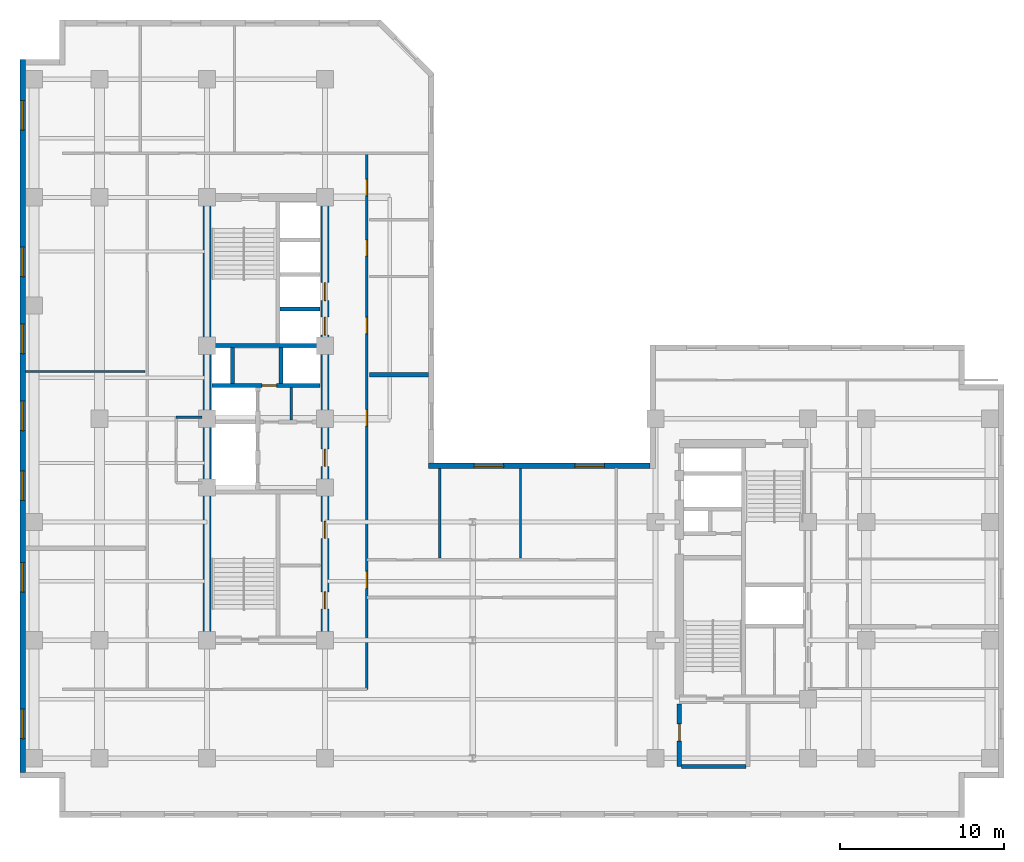
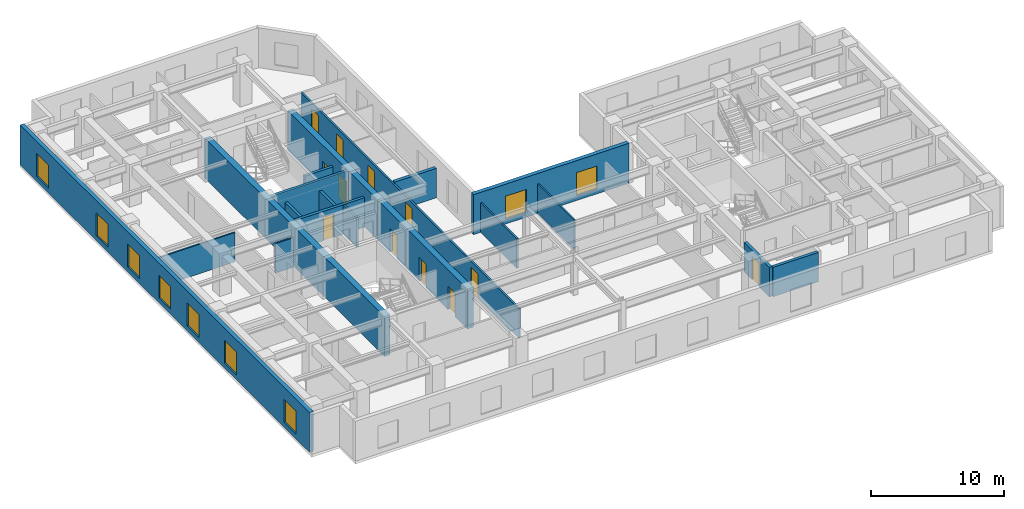
# One storey, part 4 of 10: 19 walls, 12 doors, 9 windows, 21 openings.
"""IFC4 building model written with IfcOpenShell, lengths in metres."""

from ifc_helpers import new_model, entity, si_unit, converted_unit, direction, frame, origin_with_axes, origin_2d_with_axis, place, context, subcontext, project, spatial, polyline, rectangle, outline, extrude, material, layer, layer_set, type_object, element, fill, save


model = new_model("IFC4")

# Units and contexts
model_context = context("Model", 3, precision=1e-05, world=origin_with_axes(), true_north=direction((0.0, 1.0)))
body_context = subcontext(model_context, "Body", "Model", "MODEL_VIEW")
ifc_project = project(units=[si_unit("LENGTHUNIT", "METRE"), si_unit("AREAUNIT", "SQUARE_METRE"), si_unit("VOLUMEUNIT", "CUBIC_METRE"), converted_unit("PLANEANGLEUNIT", "DEGREE", entity("IfcPlaneAngleMeasure", 0.017453292519943295), si_unit("PLANEANGLEUNIT", "RADIAN"), dimensions=[0, 0, 0, 0, 0, 0, 0]), si_unit("MASSUNIT", "GRAM", prefix="KILO"), si_unit("THERMODYNAMICTEMPERATUREUNIT", "KELVIN")], contexts=[model_context])

# Site, building, storey
site_placement = place(None, origin_with_axes())
site = spatial("IfcSite", under=ifc_project, at=site_placement, CompositionType="ELEMENT")
building_placement = place(site_placement, origin_with_axes())
building = spatial("IfcBuilding", under=site, at=building_placement, Name="Varnlund Millrace Tower", CompositionType="ELEMENT")
storey_placement = place(building_placement, frame((0.0, 0.0, 175.8), z_axis=(0.0, 0.0, 1.0), x_axis=(1.0, 0.0, 0.0)))
storey = spatial("IfcBuildingStorey", under=building, at=storey_placement, Name="L43", CompositionType="ELEMENT", Elevation=175.8)

# Wall
ifc_material_1 = material(Name="Concrete C70/85", Category="concrete")
ifc_layer_1 = layer(ifc_material_1, 0.5, Name="Concrete C70/85")
ifc_layer_set_1 = layer_set([ifc_layer_1], Name="Concrete C70/85")
wall_type_1 = type_object("IfcWallType", Name="Type-CoreWall-Shear-500-C70", PredefinedType="SHEAR", material=ifc_layer_set_1)
wall_1_placement = place(storey_placement, frame((11.4, 10.8, 0.0), z_axis=(0.0, 0.0, 1.0), x_axis=(0.0, 1.0, 0.0)))
element("IfcWall", 1, at=wall_1_placement, inside=storey, type_object=wall_type_1, Name="Type-CoreWall-Shear-500-C70", PredefinedType="SHEAR", context=body_context, shape_type="SweptSolid", body=[
    extrude(outline(polyline([(0.0, -0.25), (27.0, -0.25), (27.0, 0.25), (0.0, 0.25), (0.0, -0.25)])), origin_with_axes(), (0.0, 0.0, 1.0), 3.66),
])

# Wall, openings, doors
wall_2_placement = place(storey_placement, frame((18.6, 10.8, 0.0), z_axis=(0.0, 0.0, 1.0), x_axis=(0.0, 1.0, 0.0)))
wall_2 = element("IfcWall", 2, at=wall_2_placement, inside=storey, type_object=wall_type_1, Name="Type-CoreWall-Shear-500-C70", PredefinedType="SHEAR", context=body_context, shape_type="SweptSolid", body=[
    extrude(outline(polyline([(0.0, -0.25), (13.5, -0.25), (13.5, 0.25), (0.0, 0.25), (0.0, -0.25)])), origin_with_axes(), (0.0, 0.0, 1.0), 3.66),
])
opening_1_placement = place(wall_2_placement, frame((11.125, 0.0, 0.0), z_axis=(0.0, 0.0, 1.0), x_axis=(1.0, 0.0, 0.0)))
opening_1 = element("IfcOpeningElement", 3, at=opening_1_placement, cuts=wall_2, Name="Opening L43:DR-FFLOB-A", PredefinedType="OPENING", context=body_context, shape_type="SweptSolid", body=[
    extrude(rectangle(XDim=1.05, YDim=0.52, at=origin_2d_with_axis()), origin_with_axes(), (0.0, 0.0, 1.0), 2.15),
])
opening_2_placement = place(wall_2_placement, frame((2.425, 0.0, 0.0), z_axis=(0.0, 0.0, 1.0), x_axis=(1.0, 0.0, 0.0)))
opening_2 = element("IfcOpeningElement", 4, at=opening_2_placement, cuts=wall_2, Name="Opening L43:DR-RECL-A1-1", PredefinedType="OPENING", context=body_context, shape_type="SweptSolid", body=[
    extrude(rectangle(XDim=1.05, YDim=0.52, at=origin_2d_with_axis()), origin_with_axes(), (0.0, 0.0, 1.0), 2.15),
])
opening_3_placement = place(wall_2_placement, frame((6.725, 0.0, 0.0), z_axis=(0.0, 0.0, 1.0), x_axis=(1.0, 0.0, 0.0)))
opening_3 = element("IfcOpeningElement", 5, at=opening_3_placement, cuts=wall_2, Name="Opening L43:DR-RECL-A1-2", PredefinedType="OPENING", context=body_context, shape_type="SweptSolid", body=[
    extrude(rectangle(XDim=1.05, YDim=0.52, at=origin_2d_with_axis()), origin_with_axes(), (0.0, 0.0, 1.0), 2.15),
])
ifc_material_2 = material(Name="Smoke-barrier hollow steel fire door", Category="steel")
door_type_1 = type_object("IfcDoorType", Name="Type-FireDoor-Lobby-1050X2150", OperationType="NOTDEFINED", PredefinedType="DOOR", material=ifc_material_2)
door_1_placement = place(wall_2_placement, frame((11.125, 0.0, 0.0), z_axis=(0.0, 0.0, 1.0), x_axis=(1.0, 0.0, 0.0)))
door_1 = element("IfcDoor", 6, at=door_1_placement, inside=storey, type_object=door_type_1, Name="Type-FireDoor-Lobby-1050X2150", OperationType="SINGLE_SWING_LEFT", OverallHeight=2.15, OverallWidth=1.05, PredefinedType="DOOR", context=body_context, shape_type="SweptSolid", body=[
    extrude(rectangle(XDim=1.05, YDim=0.09, at=origin_2d_with_axis()), origin_with_axes(), (0.0, 0.0, 1.0), 2.15),
])
fill(opening_1, door_1)
door_2_placement = place(wall_2_placement, frame((2.425, 0.0, 0.0), z_axis=(0.0, 0.0, 1.0), x_axis=(1.0, 0.0, 0.0)))
door_2 = element("IfcDoor", 7, at=door_2_placement, inside=storey, type_object=door_type_1, Name="Type-FireDoor-Lobby-1050X2150", OperationType="SINGLE_SWING_LEFT", OverallHeight=2.15, OverallWidth=1.05, PredefinedType="DOOR", context=body_context, shape_type="SweptSolid", body=[
    extrude(rectangle(XDim=1.05, YDim=0.09, at=origin_2d_with_axis()), origin_with_axes(), (0.0, 0.0, 1.0), 2.15),
])
fill(opening_2, door_2)
door_3_placement = place(wall_2_placement, frame((6.725, 0.0, 0.0), z_axis=(0.0, 0.0, 1.0), x_axis=(1.0, 0.0, 0.0)))
door_3 = element("IfcDoor", 8, at=door_3_placement, inside=storey, type_object=door_type_1, Name="Type-FireDoor-Lobby-1050X2150", OperationType="SINGLE_SWING_RIGHT", OverallHeight=2.15, OverallWidth=1.05, PredefinedType="DOOR", context=body_context, shape_type="SweptSolid", body=[
    extrude(rectangle(XDim=1.05, YDim=0.09, at=origin_2d_with_axis()), origin_with_axes(), (0.0, 0.0, 1.0), 2.15),
])
fill(opening_3, door_3)

wall_3_placement = place(storey_placement, frame((18.6, 24.3, 0.0), z_axis=(0.0, 0.0, 1.0), x_axis=(0.0, 1.0, 0.0)))
wall_3 = element("IfcWall", 9, at=wall_3_placement, inside=storey, type_object=wall_type_1, Name="Type-CoreWall-Shear-500-C70", PredefinedType="SHEAR", context=body_context, shape_type="SweptSolid", body=[
    extrude(outline(polyline([(0.0, -0.25), (13.5, -0.25), (13.5, 0.25), (0.0, 0.25), (0.0, -0.25)])), origin_with_axes(), (0.0, 0.0, 1.0), 3.66),
])
opening_4_placement = place(wall_3_placement, frame((5.65, 0.0, 0.0), z_axis=(0.0, 0.0, 1.0), x_axis=(1.0, 0.0, 0.0)))
opening_4 = element("IfcOpeningElement", 10, at=opening_4_placement, cuts=wall_3, Name="Opening L43:LD-ELV-M1", PredefinedType="OPENING", context=body_context, shape_type="SweptSolid", body=[
    extrude(rectangle(XDim=1.1, YDim=0.52, at=origin_2d_with_axis()), origin_with_axes(), (0.0, 0.0, 1.0), 2.15),
])
opening_5_placement = place(wall_3_placement, frame((7.75, 0.0, 0.0), z_axis=(0.0, 0.0, 1.0), x_axis=(1.0, 0.0, 0.0)))
opening_5 = element("IfcOpeningElement", 11, at=opening_5_placement, cuts=wall_3, Name="Opening L43:LD-ELV-M2", PredefinedType="OPENING", context=body_context, shape_type="SweptSolid", body=[
    extrude(rectangle(XDim=1.1, YDim=0.52, at=origin_2d_with_axis()), origin_with_axes(), (0.0, 0.0, 1.0), 2.15),
])
ifc_material_3 = material(Name="Stainless and architectural bronze sliding landing door")
door_type_2 = type_object("IfcDoorType", Name="Type-LiftLandingDoor-1100X2150", OperationType="NOTDEFINED", PredefinedType="DOOR", material=ifc_material_3)
door_4_placement = place(wall_3_placement, frame((5.65, 0.0, 0.0), z_axis=(0.0, 0.0, 1.0), x_axis=(1.0, 0.0, 0.0)))
door_4 = element("IfcDoor", 12, at=door_4_placement, inside=storey, type_object=door_type_2, Name="Type-LiftLandingDoor-1100X2150", OperationType="SLIDING_TO_LEFT", OverallHeight=2.15, OverallWidth=1.1, PredefinedType="DOOR", context=body_context, shape_type="SweptSolid", body=[
    extrude(rectangle(XDim=1.1, YDim=0.09, at=origin_2d_with_axis()), origin_with_axes(), (0.0, 0.0, 1.0), 2.15),
])
fill(opening_4, door_4)
door_5_placement = place(wall_3_placement, frame((7.75, 0.0, 0.0), z_axis=(0.0, 0.0, 1.0), x_axis=(1.0, 0.0, 0.0)))
door_5 = element("IfcDoor", 13, at=door_5_placement, inside=storey, type_object=door_type_2, Name="Type-LiftLandingDoor-1100X2150", OperationType="SLIDING_TO_RIGHT", OverallHeight=2.15, OverallWidth=1.1, PredefinedType="DOOR", context=body_context, shape_type="SweptSolid", body=[
    extrude(rectangle(XDim=1.1, YDim=0.09, at=origin_2d_with_axis()), origin_with_axes(), (0.0, 0.0, 1.0), 2.15),
])
fill(opening_5, door_5)

# Wall, openings, windows
ifc_material_4 = material(Name="Precast concrete C50/60", Category="concrete")
ifc_layer_2 = layer(ifc_material_4, 0.34, Name="Precast concrete C50/60")
ifc_layer_set_2 = layer_set([ifc_layer_2], Name="Precast concrete C50/60")
wall_type_2 = type_object("IfcWallType", Name="Type-ExtWall-Precast-Upper-340", PredefinedType="SOLIDWALL", material=ifc_layer_set_2)
wall_4_placement = place(storey_placement, frame((0.17, 2.74, 0.0), z_axis=(0.0, 0.0, 1.0), x_axis=(0.0, 1.0, 0.0)))
wall_4 = element("IfcWall", 14, at=wall_4_placement, inside=storey, type_object=wall_type_2, Name="Type-ExtWall-Precast-Upper-340", PredefinedType="SOLIDWALL", context=body_context, shape_type="SweptSolid", body=[
    extrude(outline(polyline([(0.0, -0.17), (43.46, -0.17), (43.46, 0.17), (0.0, 0.17), (0.0, -0.17)])), origin_with_axes(), (0.0, 0.0, 1.0), 3.66),
])
opening_6_placement = place(wall_4_placement, frame((2.948, 0.0, 0.45), z_axis=(0.0, 0.0, 1.0), x_axis=(1.0, 0.0, 0.0)))
opening_6 = element("IfcOpeningElement", 15, at=opening_6_placement, cuts=wall_4, Name="Opening L43:WN-20", PredefinedType="OPENING", context=body_context, shape_type="SweptSolid", body=[
    extrude(rectangle(XDim=1.8, YDim=0.36, at=origin_2d_with_axis()), origin_with_axes(), (0.0, 0.0, 1.0), 2.1),
])
opening_7_placement = place(wall_4_placement, frame((11.889, 0.0, 0.45), z_axis=(0.0, 0.0, 1.0), x_axis=(1.0, 0.0, 0.0)))
opening_7 = element("IfcOpeningElement", 16, at=opening_7_placement, cuts=wall_4, Name="Opening L43:WN-21", PredefinedType="OPENING", context=body_context, shape_type="SweptSolid", body=[
    extrude(rectangle(XDim=1.8, YDim=0.36, at=origin_2d_with_axis()), origin_with_axes(), (0.0, 0.0, 1.0), 2.1),
])
opening_8_placement = place(wall_4_placement, frame((17.484, 0.0, 0.45), z_axis=(0.0, 0.0, 1.0), x_axis=(1.0, 0.0, 0.0)))
opening_8 = element("IfcOpeningElement", 17, at=opening_8_placement, cuts=wall_4, Name="Opening L43:WN-22", PredefinedType="OPENING", context=body_context, shape_type="SweptSolid", body=[
    extrude(rectangle(XDim=1.8, YDim=0.36, at=origin_2d_with_axis()), origin_with_axes(), (0.0, 0.0, 1.0), 2.1),
])
opening_9_placement = place(wall_4_placement, frame((21.73, 0.0, 0.45), z_axis=(0.0, 0.0, 1.0), x_axis=(1.0, 0.0, 0.0)))
opening_9 = element("IfcOpeningElement", 18, at=opening_9_placement, cuts=wall_4, Name="Opening L43:WN-23", PredefinedType="OPENING", context=body_context, shape_type="SweptSolid", body=[
    extrude(rectangle(XDim=1.8, YDim=0.36, at=origin_2d_with_axis()), origin_with_axes(), (0.0, 0.0, 1.0), 2.1),
])
opening_10_placement = place(wall_4_placement, frame((26.426, 0.0, 0.45), z_axis=(0.0, 0.0, 1.0), x_axis=(1.0, 0.0, 0.0)))
opening_10 = element("IfcOpeningElement", 19, at=opening_10_placement, cuts=wall_4, Name="Opening L43:WN-24", PredefinedType="OPENING", context=body_context, shape_type="SweptSolid", body=[
    extrude(rectangle(XDim=1.8, YDim=0.36, at=origin_2d_with_axis()), origin_with_axes(), (0.0, 0.0, 1.0), 2.1),
])
opening_11_placement = place(wall_4_placement, frame((31.121, 0.0, 0.45), z_axis=(0.0, 0.0, 1.0), x_axis=(1.0, 0.0, 0.0)))
opening_11 = element("IfcOpeningElement", 20, at=opening_11_placement, cuts=wall_4, Name="Opening L43:WN-25", PredefinedType="OPENING", context=body_context, shape_type="SweptSolid", body=[
    extrude(rectangle(XDim=1.8, YDim=0.36, at=origin_2d_with_axis()), origin_with_axes(), (0.0, 0.0, 1.0), 2.1),
])
opening_12_placement = place(wall_4_placement, frame((40.062, 0.0, 0.45), z_axis=(0.0, 0.0, 1.0), x_axis=(1.0, 0.0, 0.0)))
opening_12 = element("IfcOpeningElement", 21, at=opening_12_placement, cuts=wall_4, Name="Opening L43:WN-26", PredefinedType="OPENING", context=body_context, shape_type="SweptSolid", body=[
    extrude(rectangle(XDim=1.8, YDim=0.36, at=origin_2d_with_axis()), origin_with_axes(), (0.0, 0.0, 1.0), 2.1),
])
ifc_material_5 = material(Name="Argon low-e triple glazing in thermally broken bronze frame", Category="glass")
window_type = type_object("IfcWindowType", Name="Type-Window-Punched-1800X2100", PartitioningType="SINGLE_PANEL", PredefinedType="WINDOW", material=ifc_material_5)
window_1_placement = place(wall_4_placement, frame((2.948, 0.0, 0.45), z_axis=(0.0, 0.0, 1.0), x_axis=(1.0, 0.0, 0.0)))
window_1 = element("IfcWindow", 22, at=window_1_placement, inside=storey, type_object=window_type, Name="Type-Window-Punched-1800X2100", OverallHeight=2.1, OverallWidth=1.8, PredefinedType="WINDOW", context=body_context, shape_type="SweptSolid", body=[
    extrude(rectangle(XDim=1.8, YDim=0.09, at=origin_2d_with_axis()), origin_with_axes(), (0.0, 0.0, 1.0), 2.1),
])
fill(opening_6, window_1)
window_2_placement = place(wall_4_placement, frame((11.889, 0.0, 0.45), z_axis=(0.0, 0.0, 1.0), x_axis=(1.0, 0.0, 0.0)))
window_2 = element("IfcWindow", 23, at=window_2_placement, inside=storey, type_object=window_type, Name="Type-Window-Punched-1800X2100", OverallHeight=2.1, OverallWidth=1.8, PredefinedType="WINDOW", context=body_context, shape_type="SweptSolid", body=[
    extrude(rectangle(XDim=1.8, YDim=0.09, at=origin_2d_with_axis()), origin_with_axes(), (0.0, 0.0, 1.0), 2.1),
])
fill(opening_7, window_2)
window_3_placement = place(wall_4_placement, frame((17.484, 0.0, 0.45), z_axis=(0.0, 0.0, 1.0), x_axis=(1.0, 0.0, 0.0)))
window_3 = element("IfcWindow", 24, at=window_3_placement, inside=storey, type_object=window_type, Name="Type-Window-Punched-1800X2100", OverallHeight=2.1, OverallWidth=1.8, PredefinedType="WINDOW", context=body_context, shape_type="SweptSolid", body=[
    extrude(rectangle(XDim=1.8, YDim=0.09, at=origin_2d_with_axis()), origin_with_axes(), (0.0, 0.0, 1.0), 2.1),
])
fill(opening_8, window_3)
window_4_placement = place(wall_4_placement, frame((21.73, 0.0, 0.45), z_axis=(0.0, 0.0, 1.0), x_axis=(1.0, 0.0, 0.0)))
window_4 = element("IfcWindow", 25, at=window_4_placement, inside=storey, type_object=window_type, Name="Type-Window-Punched-1800X2100", OverallHeight=2.1, OverallWidth=1.8, PredefinedType="WINDOW", context=body_context, shape_type="SweptSolid", body=[
    extrude(rectangle(XDim=1.8, YDim=0.09, at=origin_2d_with_axis()), origin_with_axes(), (0.0, 0.0, 1.0), 2.1),
])
fill(opening_9, window_4)
window_5_placement = place(wall_4_placement, frame((26.426, 0.0, 0.45), z_axis=(0.0, 0.0, 1.0), x_axis=(1.0, 0.0, 0.0)))
window_5 = element("IfcWindow", 26, at=window_5_placement, inside=storey, type_object=window_type, Name="Type-Window-Punched-1800X2100", OverallHeight=2.1, OverallWidth=1.8, PredefinedType="WINDOW", context=body_context, shape_type="SweptSolid", body=[
    extrude(rectangle(XDim=1.8, YDim=0.09, at=origin_2d_with_axis()), origin_with_axes(), (0.0, 0.0, 1.0), 2.1),
])
fill(opening_10, window_5)
window_6_placement = place(wall_4_placement, frame((31.121, 0.0, 0.45), z_axis=(0.0, 0.0, 1.0), x_axis=(1.0, 0.0, 0.0)))
window_6 = element("IfcWindow", 27, at=window_6_placement, inside=storey, type_object=window_type, Name="Type-Window-Punched-1800X2100", OverallHeight=2.1, OverallWidth=1.8, PredefinedType="WINDOW", context=body_context, shape_type="SweptSolid", body=[
    extrude(rectangle(XDim=1.8, YDim=0.09, at=origin_2d_with_axis()), origin_with_axes(), (0.0, 0.0, 1.0), 2.1),
])
fill(opening_11, window_6)
window_7_placement = place(wall_4_placement, frame((40.062, 0.0, 0.45), z_axis=(0.0, 0.0, 1.0), x_axis=(1.0, 0.0, 0.0)))
window_7 = element("IfcWindow", 28, at=window_7_placement, inside=storey, type_object=window_type, Name="Type-Window-Punched-1800X2100", OverallHeight=2.1, OverallWidth=1.8, PredefinedType="WINDOW", context=body_context, shape_type="SweptSolid", body=[
    extrude(rectangle(XDim=1.8, YDim=0.09, at=origin_2d_with_axis()), origin_with_axes(), (0.0, 0.0, 1.0), 2.1),
])
fill(opening_12, window_7)

wall_5_placement = place(storey_placement, frame((24.913, 21.43, 0.0), z_axis=(0.0, 0.0, 1.0), x_axis=(1.0, 0.0, 0.0)))
wall_5 = element("IfcWall", 29, at=wall_5_placement, inside=storey, type_object=wall_type_2, Name="Type-ExtWall-Precast-Upper-340", PredefinedType="SOLIDWALL", context=body_context, shape_type="SweptSolid", body=[
    extrude(outline(polyline([(0.0, -0.17), (13.487, -0.17), (13.487, 0.17), (0.0, 0.17), (0.0, -0.17)])), origin_with_axes(), (0.0, 0.0, 1.0), 3.66),
])
opening_13_placement = place(wall_5_placement, frame((3.672, 0.0, 0.45), z_axis=(0.0, 0.0, 1.0), x_axis=(1.0, 0.0, 0.0)))
opening_13 = element("IfcOpeningElement", 30, at=opening_13_placement, cuts=wall_5, Name="Opening L43:WN-37", PredefinedType="OPENING", context=body_context, shape_type="SweptSolid", body=[
    extrude(rectangle(XDim=1.8, YDim=0.36, at=origin_2d_with_axis()), origin_with_axes(), (0.0, 0.0, 1.0), 2.1),
])
opening_14_placement = place(wall_5_placement, frame((9.815, 0.0, 0.45), z_axis=(0.0, 0.0, 1.0), x_axis=(1.0, 0.0, 0.0)))
opening_14 = element("IfcOpeningElement", 31, at=opening_14_placement, cuts=wall_5, Name="Opening L43:WN-38", PredefinedType="OPENING", context=body_context, shape_type="SweptSolid", body=[
    extrude(rectangle(XDim=1.8, YDim=0.36, at=origin_2d_with_axis()), origin_with_axes(), (0.0, 0.0, 1.0), 2.1),
])
window_8_placement = place(wall_5_placement, frame((3.672, 0.0, 0.45), z_axis=(0.0, 0.0, 1.0), x_axis=(1.0, 0.0, 0.0)))
window_8 = element("IfcWindow", 32, at=window_8_placement, inside=storey, type_object=window_type, Name="Type-Window-Punched-1800X2100", OverallHeight=2.1, OverallWidth=1.8, PredefinedType="WINDOW", context=body_context, shape_type="SweptSolid", body=[
    extrude(rectangle(XDim=1.8, YDim=0.09, at=origin_2d_with_axis()), origin_with_axes(), (0.0, 0.0, 1.0), 2.1),
])
fill(opening_13, window_8)
window_9_placement = place(wall_5_placement, frame((9.815, 0.0, 0.45), z_axis=(0.0, 0.0, 1.0), x_axis=(1.0, 0.0, 0.0)))
window_9 = element("IfcWindow", 33, at=window_9_placement, inside=storey, type_object=window_type, Name="Type-Window-Punched-1800X2100", OverallHeight=2.1, OverallWidth=1.8, PredefinedType="WINDOW", context=body_context, shape_type="SweptSolid", body=[
    extrude(rectangle(XDim=1.8, YDim=0.09, at=origin_2d_with_axis()), origin_with_axes(), (0.0, 0.0, 1.0), 2.1),
])
fill(opening_14, window_9)

# Walls
ifc_material_6 = material(Name="Double-stud STC-60 conference acoustic partition", Category="gypsum")
ifc_layer_3 = layer(ifc_material_6, 0.28, Name="Double-stud STC-60 conference acoustic partition")
ifc_layer_set_3 = layer_set([ifc_layer_3], Name="Double-stud STC-60 conference acoustic partition")
wall_type_3 = type_object("IfcWallType", Name="Type-Partition-Acoustic-280", PredefinedType="PARTITIONING", material=ifc_layer_set_3)
wall_6_placement = place(storey_placement, frame((21.3, 26.984, 0.0), z_axis=(0.0, 0.0, 1.0), x_axis=(1.0, 0.0, 0.0)))
element("IfcWall", 34, at=wall_6_placement, inside=storey, type_object=wall_type_3, Name="Type-Partition-Acoustic-280", PredefinedType="PARTITIONING", context=body_context, shape_type="SweptSolid", body=[
    extrude(outline(polyline([(0.0, -0.14), (3.618, -0.14), (3.618, 0.14), (0.0, 0.14), (0.0, -0.14)])), origin_with_axes(), (0.0, 0.0, 1.0), 2.7),
])
ifc_material_7 = material(Name="Fire-rated gypsum board on cold-formed steel framing", Category="steel")
ifc_layer_4 = layer(ifc_material_7, 0.16, Name="Fire-rated gypsum board on cold-formed steel framing")
ifc_layer_set_4 = layer_set([ifc_layer_4], Name="Fire-rated gypsum board on cold-formed steel framing")
wall_type_4 = type_object("IfcWallType", Name="Type-Partition-Corridor-160", PredefinedType="PARTITIONING", material=ifc_layer_set_4)
wall_7_placement = place(storey_placement, frame((16.55, 24.22, 0.0), z_axis=(0.0, 0.0, 1.0), x_axis=(0.0, 1.0, 0.0)))
element("IfcWall", 35, at=wall_7_placement, inside=storey, type_object=wall_type_4, Name="Type-Partition-Corridor-160", PredefinedType="PARTITIONING", context=body_context, shape_type="SweptSolid", body=[
    extrude(outline(polyline([(0.0, -0.08), (1.98, -0.08), (1.98, 0.08), (0.0, 0.08), (0.0, -0.08)])), origin_with_axes(), (0.0, 0.0, 1.0), 2.7),
])

# Wall, openings, doors
wall_8_placement = place(storey_placement, frame((21.15, 7.8, 0.0), z_axis=(0.0, 0.0, 1.0), x_axis=(0.0, 1.0, 0.0)))
wall_8 = element("IfcWall", 36, at=wall_8_placement, inside=storey, type_object=wall_type_4, Name="Type-Partition-Corridor-160", PredefinedType="PARTITIONING", context=body_context, shape_type="SweptSolid", body=[
    extrude(outline(polyline([(0.0, -0.08), (32.7, -0.08), (32.7, 0.08), (0.0, 0.08), (0.0, -0.08)])), origin_with_axes(), (0.0, 0.0, 1.0), 2.7),
])
opening_15_placement = place(wall_8_placement, frame((16.557, 0.0, 0.0), z_axis=(0.0, 0.0, 1.0), x_axis=(1.0, 0.0, 0.0)))
opening_15 = element("IfcOpeningElement", 37, at=opening_15_placement, cuts=wall_8, Name="Opening L43:DR-FLR-01", PredefinedType="OPENING", context=body_context, shape_type="SweptSolid", body=[
    extrude(rectangle(XDim=1.0, YDim=0.18, at=origin_2d_with_axis()), origin_with_axes(), (0.0, 0.0, 1.0), 2.15),
])
opening_16_placement = place(wall_8_placement, frame((22.185, 0.0, 0.0), z_axis=(0.0, 0.0, 1.0), x_axis=(1.0, 0.0, 0.0)))
opening_16 = element("IfcOpeningElement", 38, at=opening_16_placement, cuts=wall_8, Name="Opening L43:DR-FLR-02", PredefinedType="OPENING", context=body_context, shape_type="SweptSolid", body=[
    extrude(rectangle(XDim=1.0, YDim=0.18, at=origin_2d_with_axis()), origin_with_axes(), (0.0, 0.0, 1.0), 2.15),
])
opening_17_placement = place(wall_8_placement, frame((26.9095, 0.0, 0.0), z_axis=(0.0, 0.0, 1.0), x_axis=(1.0, 0.0, 0.0)))
opening_17 = element("IfcOpeningElement", 39, at=opening_17_placement, cuts=wall_8, Name="Opening L43:DR-FLR-03", PredefinedType="OPENING", context=body_context, shape_type="SweptSolid", body=[
    extrude(rectangle(XDim=1.0, YDim=0.18, at=origin_2d_with_axis()), origin_with_axes(), (0.0, 0.0, 1.0), 2.15),
])
opening_18_placement = place(wall_8_placement, frame((30.6015, 0.0, 0.0), z_axis=(0.0, 0.0, 1.0), x_axis=(1.0, 0.0, 0.0)))
opening_18 = element("IfcOpeningElement", 40, at=opening_18_placement, cuts=wall_8, Name="Opening L43:DR-FLR-04", PredefinedType="OPENING", context=body_context, shape_type="SweptSolid", body=[
    extrude(rectangle(XDim=1.0, YDim=0.18, at=origin_2d_with_axis()), origin_with_axes(), (0.0, 0.0, 1.0), 2.15),
])
opening_19_placement = place(wall_8_placement, frame((6.675, 0.0, 0.0), z_axis=(0.0, 0.0, 1.0), x_axis=(1.0, 0.0, 0.0)))
opening_19 = element("IfcOpeningElement", 41, at=opening_19_placement, cuts=wall_8, Name="Opening L43:DR-KN-W", PredefinedType="OPENING", context=body_context, shape_type="SweptSolid", body=[
    extrude(rectangle(XDim=1.05, YDim=0.18, at=origin_2d_with_axis()), origin_with_axes(), (0.0, 0.0, 1.0), 2.15),
])
door_6_placement = place(wall_8_placement, frame((6.675, 0.0, 0.0), z_axis=(0.0, 0.0, 1.0), x_axis=(1.0, 0.0, 0.0)))
door_6 = element("IfcDoor", 42, at=door_6_placement, inside=storey, type_object=door_type_1, Name="Type-FireDoor-Lobby-1050X2150", OperationType="SINGLE_SWING_LEFT", OverallHeight=2.15, OverallWidth=1.05, PredefinedType="DOOR", context=body_context, shape_type="SweptSolid", body=[
    extrude(rectangle(XDim=1.05, YDim=0.09, at=origin_2d_with_axis()), origin_with_axes(), (0.0, 0.0, 1.0), 2.15),
])
fill(opening_19, door_6)
ifc_material_8 = material(Name="Solid-core white oak and bronze frame door")
door_type_3 = type_object("IfcDoorType", Name="Type-IntDoor-Office-1000X2150", OperationType="NOTDEFINED", PredefinedType="DOOR", material=ifc_material_8)
door_7_placement = place(wall_8_placement, frame((16.557, 0.0, 0.0), z_axis=(0.0, 0.0, 1.0), x_axis=(1.0, 0.0, 0.0)))
door_7 = element("IfcDoor", 43, at=door_7_placement, inside=storey, type_object=door_type_3, Name="Type-IntDoor-Office-1000X2150", OperationType="SINGLE_SWING_LEFT", OverallHeight=2.15, OverallWidth=1.0, PredefinedType="DOOR", context=body_context, shape_type="SweptSolid", body=[
    extrude(rectangle(XDim=1.0, YDim=0.09, at=origin_2d_with_axis()), origin_with_axes(), (0.0, 0.0, 1.0), 2.15),
])
fill(opening_15, door_7)
door_8_placement = place(wall_8_placement, frame((22.185, 0.0, 0.0), z_axis=(0.0, 0.0, 1.0), x_axis=(1.0, 0.0, 0.0)))
door_8 = element("IfcDoor", 44, at=door_8_placement, inside=storey, type_object=door_type_3, Name="Type-IntDoor-Office-1000X2150", OperationType="SINGLE_SWING_RIGHT", OverallHeight=2.15, OverallWidth=1.0, PredefinedType="DOOR", context=body_context, shape_type="SweptSolid", body=[
    extrude(rectangle(XDim=1.0, YDim=0.09, at=origin_2d_with_axis()), origin_with_axes(), (0.0, 0.0, 1.0), 2.15),
])
fill(opening_16, door_8)
door_9_placement = place(wall_8_placement, frame((26.9095, 0.0, 0.0), z_axis=(0.0, 0.0, 1.0), x_axis=(1.0, 0.0, 0.0)))
door_9 = element("IfcDoor", 45, at=door_9_placement, inside=storey, type_object=door_type_3, Name="Type-IntDoor-Office-1000X2150", OperationType="SINGLE_SWING_LEFT", OverallHeight=2.15, OverallWidth=1.0, PredefinedType="DOOR", context=body_context, shape_type="SweptSolid", body=[
    extrude(rectangle(XDim=1.0, YDim=0.09, at=origin_2d_with_axis()), origin_with_axes(), (0.0, 0.0, 1.0), 2.15),
])
fill(opening_17, door_9)
door_10_placement = place(wall_8_placement, frame((30.6015, 0.0, 0.0), z_axis=(0.0, 0.0, 1.0), x_axis=(1.0, 0.0, 0.0)))
door_10 = element("IfcDoor", 46, at=door_10_placement, inside=storey, type_object=door_type_3, Name="Type-IntDoor-Office-1000X2150", OperationType="SINGLE_SWING_RIGHT", OverallHeight=2.15, OverallWidth=1.0, PredefinedType="DOOR", context=body_context, shape_type="SweptSolid", body=[
    extrude(rectangle(XDim=1.0, YDim=0.09, at=origin_2d_with_axis()), origin_with_axes(), (0.0, 0.0, 1.0), 2.15),
])
fill(opening_18, door_10)

# Walls
ifc_material_9 = material(Name="Acoustic STC-50 gypsum board partition", Category="gypsum")
ifc_layer_5 = layer(ifc_material_9, 0.15, Name="Acoustic STC-50 gypsum board partition")
ifc_layer_set_5 = layer_set([ifc_layer_5], Name="Acoustic STC-50 gypsum board partition")
wall_type_5 = type_object("IfcWallType", Name="Type-Partition-Demising-150", PredefinedType="PARTITIONING", material=ifc_layer_set_5)
wall_9_placement = place(storey_placement, frame((25.59, 15.82, 0.0), z_axis=(0.0, 0.0, 1.0), x_axis=(0.0, 1.0, 0.0)))
element("IfcWall", 47, at=wall_9_placement, inside=storey, type_object=wall_type_5, Name="Type-Partition-Demising-150", PredefinedType="PARTITIONING", context=body_context, shape_type="SweptSolid", body=[
    extrude(outline(polyline([(0.0, -0.075), (5.445, -0.075), (5.445, 0.075), (0.0, 0.075), (0.0, -0.075)])), origin_with_axes(), (0.0, 0.0, 1.0), 2.7),
])
ifc_material_10 = material(Name="Gypsum board tenant partition", Category="gypsum")
ifc_layer_6 = layer(ifc_material_10, 0.125, Name="Gypsum board tenant partition")
ifc_layer_set_6 = layer_set([ifc_layer_6], Name="Gypsum board tenant partition")
wall_type_6 = type_object("IfcWallType", Name="Type-Partition-Tenant-125", PredefinedType="PARTITIONING", material=ifc_layer_set_6)
wall_10_placement = place(storey_placement, frame((0.335, 27.188, 0.0), z_axis=(0.0, 0.0, 1.0), x_axis=(1.0, 0.0, 0.0)))
element("IfcWall", 48, at=wall_10_placement, inside=storey, type_object=wall_type_6, Name="Type-Partition-Tenant-125", PredefinedType="PARTITIONING", context=body_context, shape_type="SweptSolid", body=[
    extrude(outline(polyline([(0.0, -0.0625), (7.295, -0.0625), (7.295, 0.0625), (0.0, 0.0625), (0.0, -0.0625)])), origin_with_axes(), (0.0, 0.0, 1.0), 2.7),
])
wall_11_placement = place(storey_placement, frame((30.528, 15.82, 0.0), z_axis=(0.0, 0.0, 1.0), x_axis=(0.0, 1.0, 0.0)))
element("IfcWall", 49, at=wall_11_placement, inside=storey, type_object=wall_type_6, Name="Type-Partition-Tenant-125", PredefinedType="PARTITIONING", context=body_context, shape_type="SweptSolid", body=[
    extrude(outline(polyline([(0.0, -0.0625), (5.445, -0.0625), (5.445, 0.0625), (0.0, 0.0625), (0.0, -0.0625)])), origin_with_axes(), (0.0, 0.0, 1.0), 2.7),
])
ifc_material_11 = material(Name="Moisture-resistant gypsum restroom partition", Category="gypsum")
ifc_layer_7 = layer(ifc_material_11, 0.14, Name="Moisture-resistant gypsum restroom partition")
ifc_layer_set_7 = layer_set([ifc_layer_7], Name="Moisture-resistant gypsum restroom partition")
wall_type_7 = type_object("IfcWallType", Name="Type-Partition-Wet-140", PredefinedType="PARTITIONING", material=ifc_layer_set_7)
wall_12_placement = place(storey_placement, frame((9.52, 24.4, 0.0), z_axis=(0.0, 0.0, 1.0), x_axis=(1.0, 0.0, 0.0)))
element("IfcWall", 50, at=wall_12_placement, inside=storey, type_object=wall_type_7, Name="Type-Partition-Wet-140", PredefinedType="PARTITIONING", context=body_context, shape_type="SweptSolid", body=[
    extrude(outline(polyline([(0.0, -0.07), (1.58, -0.07), (1.58, 0.07), (0.0, 0.07), (0.0, -0.07)])), origin_with_axes(), (0.0, 0.0, 1.0), 2.7),
])

# Wall, opening, door
ifc_material_12 = material(Name="Concrete C60/75", Category="concrete")
ifc_layer_8 = layer(ifc_material_12, 0.25, Name="Concrete C60/75")
ifc_layer_set_8 = layer_set([ifc_layer_8], Name="Concrete C60/75")
wall_type_8 = type_object("IfcWallType", Name="Type-ShaftWall-Fire-250", PredefinedType="SOLIDWALL", material=ifc_layer_set_8)
wall_13_placement = place(storey_placement, frame((11.7, 26.325, 0.0), z_axis=(0.0, 0.0, 1.0), x_axis=(1.0, 0.0, 0.0)))
wall_13 = element("IfcWall", 51, at=wall_13_placement, inside=storey, type_object=wall_type_8, Name="Type-ShaftWall-Fire-250", PredefinedType="SOLIDWALL", context=body_context, shape_type="SweptSolid", body=[
    extrude(outline(polyline([(0.0, -0.125), (6.6, -0.125), (6.6, 0.125), (0.0, 0.125), (0.0, -0.125)])), origin_with_axes(), (0.0, 0.0, 1.0), 2.7),
])
opening_20_placement = place(wall_13_placement, frame((3.5, 0.0, 0.0), z_axis=(0.0, 0.0, 1.0), x_axis=(1.0, 0.0, 0.0)))
opening_20 = element("IfcOpeningElement", 52, at=opening_20_placement, cuts=wall_13, Name="Opening L43:DR-CA-ELC", PredefinedType="OPENING", context=body_context, shape_type="SweptSolid", body=[
    extrude(rectangle(XDim=0.9, YDim=0.27, at=origin_2d_with_axis()), origin_with_axes(), (0.0, 0.0, 1.0), 2.15),
])
ifc_material_13 = material(Name="Fire-rated hollow steel service closet door", Category="steel")
door_type_4 = type_object("IfcDoorType", Name="Type-FireDoor-Closet-900X2150", OperationType="NOTDEFINED", PredefinedType="DOOR", material=ifc_material_13)
door_11_placement = place(wall_13_placement, frame((3.5, 0.0, 0.0), z_axis=(0.0, 0.0, 1.0), x_axis=(1.0, 0.0, 0.0)))
door_11 = element("IfcDoor", 53, at=door_11_placement, inside=storey, type_object=door_type_4, Name="Type-FireDoor-Closet-900X2150", OperationType="SINGLE_SWING_LEFT", OverallHeight=2.15, OverallWidth=0.9, PredefinedType="DOOR", context=body_context, shape_type="SweptSolid", body=[
    extrude(rectangle(XDim=0.9, YDim=0.09, at=origin_2d_with_axis()), origin_with_axes(), (0.0, 0.0, 1.0), 2.15),
])
fill(opening_20, door_11)

# Walls
for number, where, z_axis, x_axis, name in (
    (54, (12.96, 26.45, 0.0), (0.0, 0.0, 1.0), (0.0, 1.0, 0.0), "Type-ShaftWall-Fire-250"),
    (55, (15.925, 26.45, 0.0), (0.0, 0.0, 1.0), (0.0, 1.0, 0.0), "Type-ShaftWall-Fire-250"),
):
    element("IfcWall", number, at=place(storey_placement, frame(where, z_axis=z_axis, x_axis=x_axis)), inside=storey, type_object=wall_type_8, Name=name, PredefinedType="SOLIDWALL", context=body_context, shape_type="SweptSolid", body=[
        extrude(outline(polyline([(0.0, -0.125), (2.2, -0.125), (2.2, 0.125), (0.0, 0.125), (0.0, -0.125)])), origin_with_axes(), (0.0, 0.0, 1.0), 2.7),
    ])

# Wall, opening, door
wall_14_placement = place(storey_placement, frame((40.2, 3.1, 0.0), z_axis=(0.0, 0.0, 1.0), x_axis=(0.0, 1.0, 0.0)))
wall_14 = element("IfcWall", 56, at=wall_14_placement, inside=storey, type_object=wall_type_8, Name="Type-ShaftWall-Fire-250", PredefinedType="SOLIDWALL", context=body_context, shape_type="SweptSolid", body=[
    extrude(outline(polyline([(0.0, -0.125), (3.8, -0.125), (3.8, 0.125), (0.0, 0.125), (0.0, -0.125)])), origin_with_axes(), (0.0, 0.0, 1.0), 2.7),
])
opening_21_placement = place(wall_14_placement, frame((2.075, 0.0, 0.0), z_axis=(0.0, 0.0, 1.0), x_axis=(1.0, 0.0, 0.0)))
opening_21 = element("IfcOpeningElement", 57, at=opening_21_placement, cuts=wall_14, Name="Opening L43:DR-FFLOB-B", PredefinedType="OPENING", context=body_context, shape_type="SweptSolid", body=[
    extrude(rectangle(XDim=1.05, YDim=0.27, at=origin_2d_with_axis()), origin_with_axes(), (0.0, 0.0, 1.0), 2.15),
])
door_12_placement = place(wall_14_placement, frame((2.075, 0.0, 0.0), z_axis=(0.0, 0.0, 1.0), x_axis=(1.0, 0.0, 0.0)))
door_12 = element("IfcDoor", 58, at=door_12_placement, inside=storey, type_object=door_type_1, Name="Type-FireDoor-Lobby-1050X2150", OperationType="SINGLE_SWING_LEFT", OverallHeight=2.15, OverallWidth=1.05, PredefinedType="DOOR", context=body_context, shape_type="SweptSolid", body=[
    extrude(rectangle(XDim=1.05, YDim=0.09, at=origin_2d_with_axis()), origin_with_axes(), (0.0, 0.0, 1.0), 2.15),
])
fill(opening_21, door_12)

# Walls
wall_15_placement = place(storey_placement, frame((40.325, 3.1, 0.0), z_axis=(0.0, 0.0, 1.0), x_axis=(1.0, 0.0, 0.0)))
element("IfcWall", 59, at=wall_15_placement, inside=storey, type_object=wall_type_8, Name="Type-ShaftWall-Fire-250", PredefinedType="SOLIDWALL", context=body_context, shape_type="SweptSolid", body=[
    extrude(outline(polyline([(0.0, -0.125), (3.95, -0.125), (3.95, 0.125), (0.0, 0.125), (0.0, -0.125)])), origin_with_axes(), (0.0, 0.0, 1.0), 2.7),
])
wall_16_placement = place(storey_placement, frame((15.84, 31.0, 0.0), z_axis=(0.0, 0.0, 1.0), x_axis=(1.0, 0.0, 0.0)))
element("IfcWall", 60, at=wall_16_placement, inside=storey, type_object=wall_type_8, Name="Type-ShaftWall-Fire-250", PredefinedType="SOLIDWALL", context=body_context, shape_type="SweptSolid", body=[
    extrude(outline(polyline([(0.0, -0.125), (2.46, -0.125), (2.46, 0.125), (0.0, 0.125), (0.0, -0.125)])), origin_with_axes(), (0.0, 0.0, 1.0), 2.7),
])
wall_type_9 = type_object("IfcWallType", Name="Type-StairWall-Shear-250", PredefinedType="SHEAR", material=ifc_layer_set_8)
wall_17_placement = place(storey_placement, frame((11.65, 28.775, 0.0), z_axis=(0.0, 0.0, 1.0), x_axis=(1.0, 0.0, 0.0)))
element("IfcWall", 61, at=wall_17_placement, inside=storey, type_object=wall_type_9, Name="Type-StairWall-Shear-250", PredefinedType="SHEAR", context=body_context, shape_type="SweptSolid", body=[
    extrude(outline(polyline([(0.0, -0.125), (6.7, -0.125), (6.7, 0.125), (0.0, 0.125), (0.0, -0.125)])), origin_with_axes(), (0.0, 0.0, 1.0), 3.66),
])

save(model, "model.ifc")
